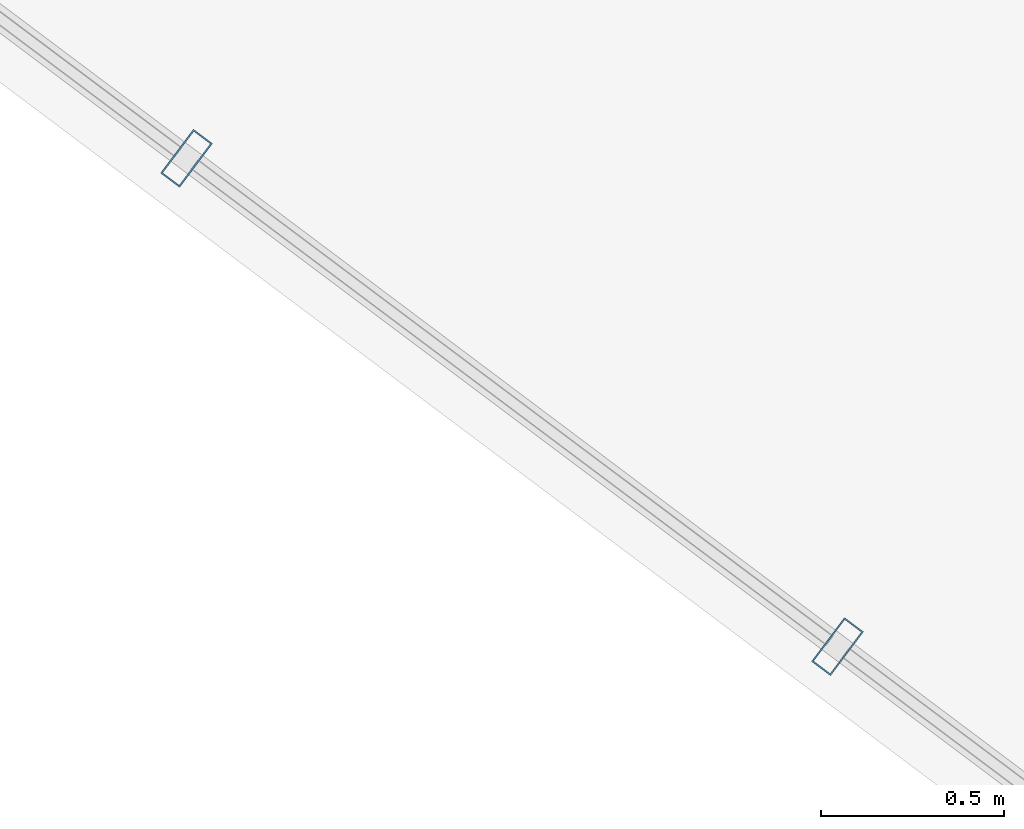
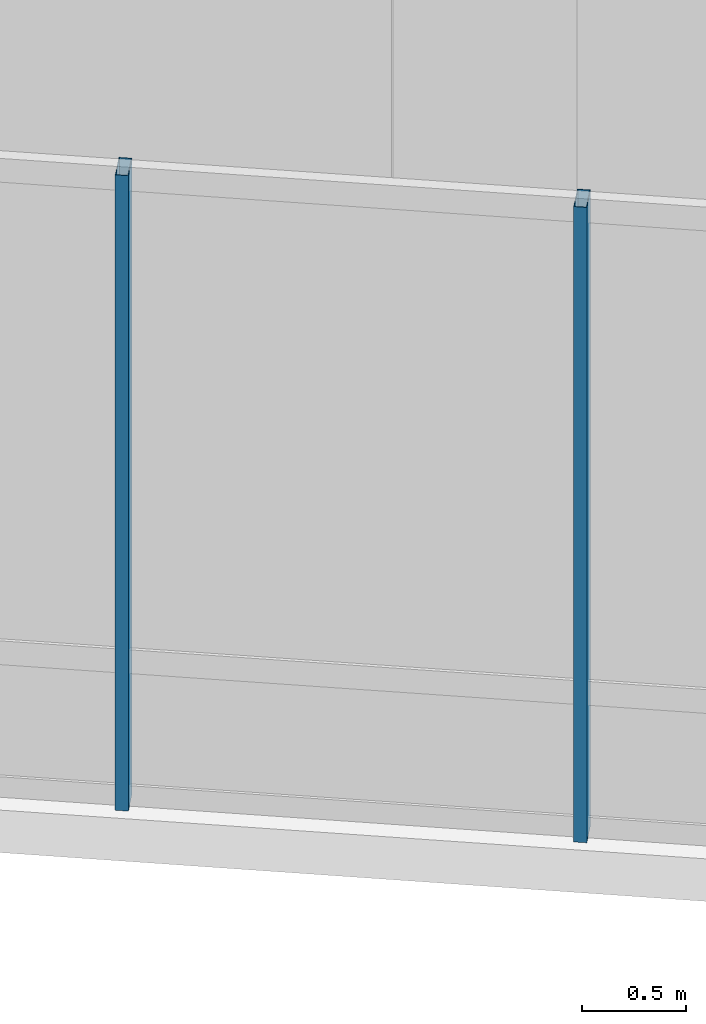
# One storey, part 2 of 29: 2 members, 1 element without a shape of its own.
"""IFC4 building model written with IfcOpenShell, lengths in metres."""

from ifc_helpers import new_model, si_unit, direction, frame, origin, origin_2d, place, context, subcontext, project, spatial, hollow_rectangle, extrude, material, layer, layer_set, material_profile, profile_set, type_object, element, aggregate, save


model = new_model("IFC4")

# Units and contexts
model_context = context("Model", 3, precision=1e-05, world=origin(), true_north=direction((0.0, 1.0)))
body_context = subcontext(model_context, "Body", "Model", "MODEL_VIEW")
ifc_project = project(units=[si_unit("LENGTHUNIT", "METRE"), si_unit("AREAUNIT", "SQUARE_METRE"), si_unit("VOLUMEUNIT", "CUBIC_METRE"), si_unit("PLANEANGLEUNIT", "RADIAN"), si_unit("MASSUNIT", "GRAM", prefix="KILO")], contexts=[model_context])

# Site, building, storey
site_placement = place(None, origin())
site = spatial("IfcSite", under=ifc_project, at=site_placement, CompositionType="ELEMENT")
building_placement = place(site_placement, origin())
building = spatial("IfcBuilding", under=site, at=building_placement, Name="Hatsunagi Terrace Concourse", CompositionType="ELEMENT")
storey_placement = place(building_placement, frame((0.0, 0.0, 277.949951171875)))
storey = spatial("IfcBuildingStorey", under=building, at=storey_placement, Name="L73", CompositionType="ELEMENT", Elevation=277.949951171875)

# Curtain wall, members
ifc_material_1 = material(Name="Anodised Aluminium Alloy 6063-T5", Category="aluminium")
ifc_layer = layer(ifc_material_1, 0.199951171875)
ifc_layer_set = layer_set([ifc_layer], Name="CrownWintergarden_CW06")
curtain_wall_type = type_object("IfcCurtainWallType", Name="CrownWintergarden_CW06", PredefinedType="NOTDEFINED", material=ifc_layer_set)
curtain_wall_placement = place(storey_placement, origin())
curtain_wall = element("IfcCurtainWall", 1, at=curtain_wall_placement, inside=storey, type_object=curtain_wall_type, Name="Unitised Curtain Wall CW-06 CW-L73-05", PredefinedType="NOTDEFINED")
ifc_material_2 = material(Name="Anodised Aluminium Alloy 6063-T5", Category="aluminium")
ifc_material_profile = material_profile(ifc_material_2, hollow_rectangle(XDim=0.06494140625, YDim=0.14990234375, WallThickness=0.00390625, at=origin_2d()), Name="ALU-MUL-150x65x4")
ifc_profile_set = profile_set([ifc_material_profile], Name="Anodised Aluminium Alloy 6063-T5")
member_type = type_object("IfcMemberType", Name="CurtainWallMullion_Crown_150x65", PredefinedType="MULLION", material=ifc_profile_set)
member_1_placement = place(storey_placement, frame((35.93603515625, 15.52294921875, 0.0), z_axis=(0.0, 0.0, 1.0), x_axis=(-0.800007305671, 0.599990258982, 0.0)))
member_1 = element("IfcMember", 2, at=member_1_placement, type_object=member_type, Name="Curtain Wall Mullion MUL-03", PredefinedType="MULLION", context=body_context, shape_type="SweptSolid", body=[
    extrude(hollow_rectangle(XDim=0.06494140625, YDim=0.14990234375, WallThickness=0.00390625, at=origin_2d()), origin(), (0.0, 0.0, 1.0), 3.739990234375),
])
member_2_placement = place(storey_placement, frame((34.155029296875, 16.85888671875, 0.0), z_axis=(0.0, 0.0, 1.0), x_axis=(-0.800007305671, 0.599990258982, 0.0)))
member_2 = element("IfcMember", 3, at=member_2_placement, type_object=member_type, Name="Curtain Wall Mullion MUL-03", PredefinedType="MULLION", context=body_context, shape_type="SweptSolid", body=[
    extrude(hollow_rectangle(XDim=0.06494140625, YDim=0.14990234375, WallThickness=0.00390625, at=origin_2d()), origin(), (0.0, 0.0, 1.0), 3.739990234375),
])
aggregate(curtain_wall, [member_1, member_2])

save(model, "model.ifc")
